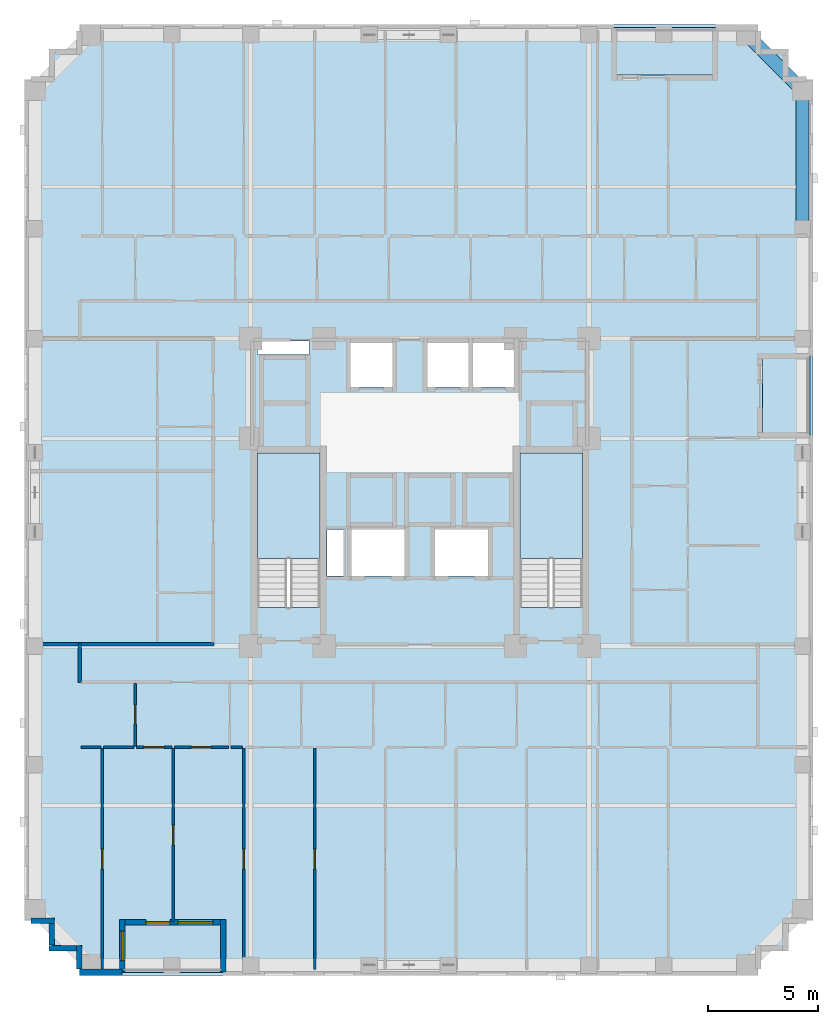
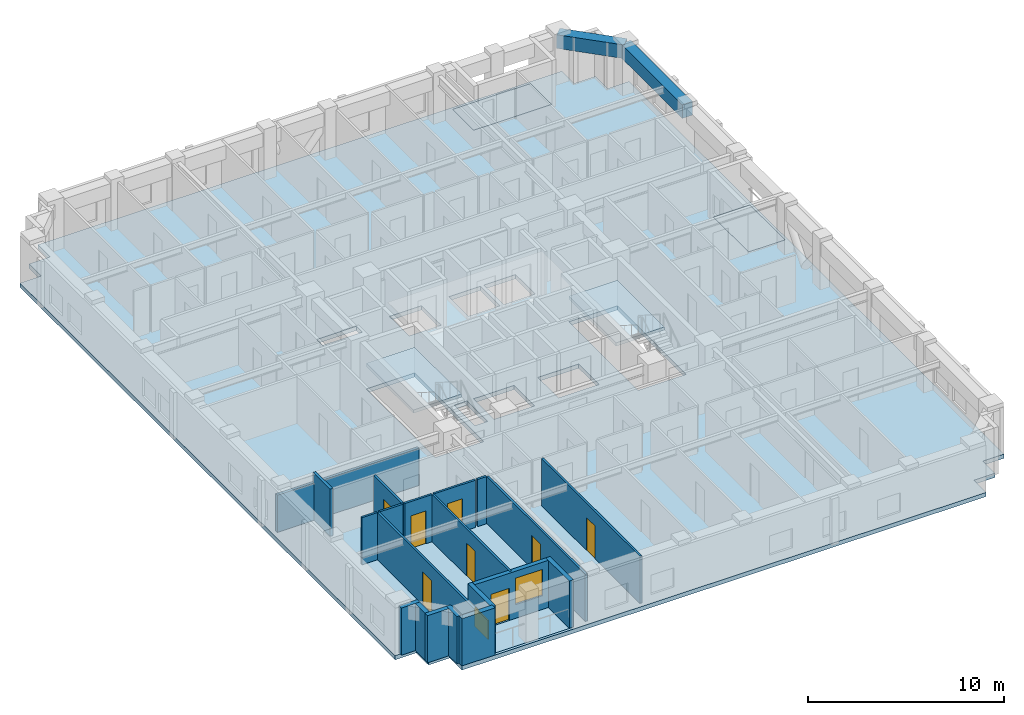
# One storey, part 2 of 13: 20 walls, 8 doors, 6 slabs, 2 beams, 2 windows, 10 openings, 2 elements without a shape of their own.
"""IFC4 building model written with IfcOpenShell, lengths in metres."""

from ifc_helpers import new_model, si_unit, derived_unit, direction, frame, frame_2d, origin, origin_2d, place, context, subcontext, project, spatial, polyline, rectangle, outline, extrude, material, layer, layer_set, material_profile, profile_set, type_object, element, fill, aggregate, save


model = new_model("IFC4")

# Units and contexts
model_context = context("Model", 3, precision=1e-05, world=origin(), true_north=direction((0.0, 1.0)))
body_context = subcontext(model_context, "Body", "Model", "MODEL_VIEW")
ifc_project = project(units=[si_unit("LENGTHUNIT", "METRE"), si_unit("AREAUNIT", "SQUARE_METRE"), si_unit("VOLUMEUNIT", "CUBIC_METRE"), si_unit("PLANEANGLEUNIT", "RADIAN"), si_unit("MASSUNIT", "GRAM", prefix="KILO"), derived_unit("THERMALTRANSMITTANCEUNIT", [(si_unit("MASSUNIT", "GRAM", prefix="KILO"), 1), (si_unit("TIMEUNIT", "SECOND"), -3), (si_unit("THERMODYNAMICTEMPERATUREUNIT", "KELVIN"), -1)])], contexts=[model_context])

# Site, building, storey
site_placement = place(None, origin())
site = spatial("IfcSite", under=ifc_project, at=site_placement, CompositionType="ELEMENT")
building_placement = place(site_placement, origin())
building = spatial("IfcBuilding", under=site, at=building_placement, Name="Korrvale Station Residences", CompositionType="ELEMENT")
storey_placement = place(building_placement, frame((0.0, 0.0, 97.5)))
storey = spatial("IfcBuildingStorey", under=building, at=storey_placement, Name="L27", CompositionType="ELEMENT", Elevation=97.5)

# Beams
ifc_material_1 = material(Name="Concrete C60/75", Category="concrete")
ifc_material_profile = material_profile(ifc_material_1, rectangle(XDim=0.60009765625, YDim=0.85009765625, at=origin_2d()), Name="RCB600x850")
ifc_profile_set = profile_set([ifc_material_profile], Name="Concrete C60/75")
beam_type = type_object("IfcBeamType", Name="BM-SPB-RCB600x850-C6075", PredefinedType="SPANDREL", material=ifc_profile_set)
beam_1_placement = place(storey_placement, frame((42.919921875, 34.0, 2.514892578125), z_axis=(0.0, 1.0, 0.0), x_axis=(-1.0, 0.0, 0.0)))
element("IfcBeam", 1, at=beam_1_placement, inside=storey, type_object=beam_type, Name="L27 East Tube Spandrel 28", PredefinedType="SPANDREL", context=body_context, shape_type="SweptSolid", body=[
    extrude(rectangle(XDim=0.60009765625, YDim=0.85009765625, at=origin_2d()), origin(), (0.0, 0.0, 1.0), 6.300048828125),
])
beam_2_placement = place(storey_placement, frame((40.39990234375, 42.820068359375, 2.514892578125), z_axis=(0.707106781187, -0.707106781187, 0.0), x_axis=(0.707106781187, 0.707106781187, 0.0)))
element("IfcBeam", 2, at=beam_2_placement, inside=storey, type_object=beam_type, Name="L27 Serrated Corner Spandrel 31", PredefinedType="SPANDREL", context=body_context, shape_type="SweptSolid", body=[
    extrude(rectangle(XDim=0.60009765625, YDim=0.85009765625, at=origin_2d()), origin(), (0.0, 0.0, 1.0), 3.56396484375),
])

# Slabs
ifc_material_2 = material(Name="Concrete C50/60", Category="concrete")
ifc_layer_1 = layer(ifc_material_2, 0.219970703125, Name="Concrete C50/60")
ifc_layer_set_1 = layer_set([ifc_layer_1], Name="Concrete C50/60")
slab_type_1 = type_object("IfcSlabType", Name="SLB-BAL-220", PredefinedType="FLOOR", material=ifc_layer_set_1)
slab_1_placement = place(storey_placement, frame((0.0, 0.0, -0.219970703125)))
element("IfcSlab", 3, at=slab_1_placement, inside=storey, type_object=slab_type_1, Name="L27 Recessed Loggia Balcony Slab BAL-L27-S1", PredefinedType="FLOOR", context=body_context, shape_type="SweptSolid", body=[
    extrude(outline(polyline([(11.949951171875, 0.14990234375), (16.550048828125, 0.14990234375), (16.550048828125, 2.300048828125), (11.949951171875, 2.300048828125), (11.949951171875, 0.14990234375)])), origin(), (0.0, 0.0, 1.0), 0.219970703125),
])
slab_2_placement = place(storey_placement, frame((0.0, 0.0, -0.219970703125)))
element("IfcSlab", 4, at=slab_2_placement, inside=storey, type_object=slab_type_1, Name="L27 Recessed Loggia Balcony Slab BAL-L27-N1", PredefinedType="FLOOR", context=body_context, shape_type="SweptSolid", body=[
    extrude(outline(polyline([(34.35009765625, 41.0), (38.949951171875, 41.0), (38.949951171875, 43.14990234375), (34.35009765625, 43.14990234375), (34.35009765625, 41.0)])), origin(), (0.0, 0.0, 1.0), 0.219970703125),
])
slab_3_placement = place(storey_placement, frame((0.0, 0.0, -0.219970703125)))
element("IfcSlab", 5, at=slab_3_placement, inside=storey, type_object=slab_type_1, Name="L27 Recessed Loggia Balcony Slab BAL-L27-E1", PredefinedType="FLOOR", context=body_context, shape_type="SweptSolid", body=[
    extrude(outline(polyline([(41.10009765625, 24.60009765625), (43.25, 24.60009765625), (43.25, 28.199951171875), (41.10009765625, 28.199951171875), (41.10009765625, 24.60009765625)])), origin(), (0.0, 0.0, 1.0), 0.219970703125),
])
ifc_layer_2 = layer(ifc_material_2, 0.260009765625, Name="Concrete C50/60")
ifc_layer_set_2 = layer_set([ifc_layer_2], Name="Concrete C50/60")
slab_type_2 = type_object("IfcSlabType", Name="SLB-FLR-260", PredefinedType="FLOOR", material=ifc_layer_set_2)
slab_4_placement = place(storey_placement, frame((0.0, 0.0, -0.260009765625)))
element("IfcSlab", 6, at=slab_4_placement, inside=storey, type_object=slab_type_2, Name="L27 Suspended Structural Floor Slab", PredefinedType="FLOOR", context=body_context, shape_type="SweptSolid", body=[
    extrude(outline(polyline([(10.0, 0.0), (40.89990234375, 0.0), (40.89990234375, 1.25), (42.14990234375, 1.25), (42.14990234375, 2.5), (43.39990234375, 2.5), (43.39990234375, 40.800048828125), (42.14990234375, 40.800048828125), (42.14990234375, 42.050048828125), (40.89990234375, 42.050048828125), (40.89990234375, 43.300048828125), (10.0, 43.300048828125), (10.0, 42.050048828125), (8.75, 42.050048828125), (8.75, 40.800048828125), (7.5, 40.800048828125), (7.5, 2.5), (8.75, 2.5), (8.75, 1.25), (10.0, 1.25), (10.0, 0.0)]), holes=[polyline([(20.949951171875, 16.751953125), (20.949951171875, 23.800048828125), (18.10009765625, 23.800048828125), (18.10009765625, 16.751953125), (20.949951171875, 16.751953125)]), polyline([(32.89990234375, 16.751953125), (32.89990234375, 23.800048828125), (30.050048828125, 23.800048828125), (30.050048828125, 16.751953125), (32.89990234375, 16.751953125)]), polyline([(22.35009765625, 26.800048828125), (24.25, 26.800048828125), (24.25, 28.800048828125), (22.35009765625, 28.800048828125), (22.35009765625, 26.800048828125)]), polyline([(25.85009765625, 26.800048828125), (27.7099609375, 26.800048828125), (27.7099609375, 28.800048828125), (25.85009765625, 28.800048828125), (25.85009765625, 26.800048828125)]), polyline([(27.929931640625, 26.800048828125), (29.7900390625, 26.800048828125), (29.7900390625, 28.800048828125), (27.929931640625, 28.800048828125), (27.929931640625, 26.800048828125)]), polyline([(22.39990234375, 18.199951171875), (24.800048828125, 18.199951171875), (24.800048828125, 20.300048828125), (22.39990234375, 20.300048828125), (22.39990234375, 18.199951171875)]), polyline([(26.199951171875, 18.199951171875), (28.60009765625, 18.199951171875), (28.60009765625, 20.300048828125), (26.199951171875, 20.300048828125), (26.199951171875, 18.199951171875)]), polyline([(18.10009765625, 28.280029296875), (20.449951171875, 28.280029296875), (20.449951171875, 28.8798828125), (18.10009765625, 28.8798828125), (18.10009765625, 28.280029296875)]), polyline([(21.280029296875, 18.199951171875), (22.02001953125, 18.199951171875), (22.02001953125, 20.300048828125), (21.280029296875, 20.300048828125), (21.280029296875, 18.199951171875)]), polyline([(11.949951171875, 0.14990234375), (16.550048828125, 0.14990234375), (16.550048828125, 2.300048828125), (11.949951171875, 2.300048828125), (11.949951171875, 0.14990234375)]), polyline([(34.35009765625, 41.0), (38.949951171875, 41.0), (38.949951171875, 43.14990234375), (34.35009765625, 43.14990234375), (34.35009765625, 41.0)]), polyline([(41.10009765625, 24.60009765625), (43.25, 24.60009765625), (43.25, 28.199951171875), (41.10009765625, 28.199951171875), (41.10009765625, 24.60009765625)])]), origin(), (0.0, 0.0, 1.0), 0.260009765625),
])

# Stair, slab
stair_type = type_object("IfcStairType", Name="STR-DL-1350-18R-1778", PredefinedType="HALF_TURN_STAIR", material=ifc_material_2)
stair_1_placement = place(storey_placement, origin())
stair_1 = element("IfcStair", 7, at=stair_1_placement, inside=storey, type_object=stair_type, Name="L27 Exit Stair 1", PredefinedType="HALF_TURN_STAIR")
ifc_layer_3 = layer(ifc_material_2, 0.199951171875, Name="Concrete C50/60")
ifc_layer_set_3 = layer_set([ifc_layer_3], Name="Concrete C50/60")
slab_type_3 = type_object("IfcSlabType", Name="SLB-LND-200", PredefinedType="LANDING", material=ifc_layer_set_3)
slab_5_placement = place(storey_placement, frame((0.0, 0.0, 1.39990234375)))
slab_5 = element("IfcSlab", 8, at=slab_5_placement, type_object=slab_type_3, Name="ST-1 landing 1", PredefinedType="LANDING", context=body_context, shape_type="SweptSolid", body=[
    extrude(outline(polyline([(20.949951171875, 18.989990234375), (20.949951171875, 23.800048828125), (18.10009765625, 23.800048828125), (18.10009765625, 18.989990234375), (20.949951171875, 18.989990234375)])), origin(), (0.0, 0.0, 1.0), 0.2001953125),
])
aggregate(stair_1, [slab_5])

stair_2_placement = place(storey_placement, origin())
stair_2 = element("IfcStair", 9, at=stair_2_placement, inside=storey, type_object=stair_type, Name="L27 Exit Stair 2", PredefinedType="HALF_TURN_STAIR")
slab_6_placement = place(storey_placement, frame((0.0, 0.0, 1.39990234375)))
slab_6 = element("IfcSlab", 10, at=slab_6_placement, type_object=slab_type_3, Name="ST-2 landing 1", PredefinedType="LANDING", context=body_context, shape_type="SweptSolid", body=[
    extrude(outline(polyline([(32.89990234375, 18.989990234375), (32.89990234375, 23.800048828125), (30.050048828125, 23.800048828125), (30.050048828125, 18.989990234375), (32.89990234375, 18.989990234375)])), origin(), (0.0, 0.0, 1.0), 0.2001953125),
])
aggregate(stair_2, [slab_6])

# Wall
ifc_material_3 = material(Name="Precast concrete C45/55", Category="concrete")
ifc_layer_4 = layer(ifc_material_3, 0.260009765625, Name="Precast concrete C45/55")
ifc_layer_set_4 = layer_set([ifc_layer_4], Name="Precast concrete C45/55")
wall_type_1 = type_object("IfcWallType", Name="WAL-EXT-LOG260", PredefinedType="SOLIDWALL", material=ifc_layer_set_4)
wall_1_placement = place(storey_placement, frame((16.550048828125, 0.159912109375, 0.0), z_axis=(0.0, 0.0, 1.0), x_axis=(0.0, 1.0, 0.0)))
element("IfcWall", 11, at=wall_1_placement, inside=storey, type_object=wall_type_1, Name="L27 Recessed Loggia Wall BAL-L27-S1-L", PredefinedType="SOLIDWALL", context=body_context, shape_type="SweptSolid", body=[
    extrude(rectangle(XDim=2.400146484375, YDim=0.260009765625, at=frame_2d((1.2001953125, 0.0))), origin(), (0.0, 0.0, 1.0), 2.93994140625),
])

# Wall, openings, door, window
wall_2_placement = place(storey_placement, frame((16.416015625, 2.429931640625, 0.0), z_axis=(0.0, 0.0, 1.0), x_axis=(-1.0, 0.0, 0.0)))
wall_2 = element("IfcWall", 12, at=wall_2_placement, inside=storey, type_object=wall_type_1, Name="L27 Recessed Loggia Wall BAL-L27-S1-B", PredefinedType="SOLIDWALL", context=body_context, shape_type="SweptSolid", body=[
    extrude(rectangle(XDim=4.33203125, YDim=0.260009765625, at=frame_2d((2.166015625, 0.0))), origin(), (0.0, 0.0, 1.0), 2.93994140625),
])
opening_1_placement = place(wall_2_placement, frame((2.285888671875, 0.0, 0.0)))
opening_1 = element("IfcOpeningElement", 13, at=opening_1_placement, cuts=wall_2, Name="Opening BD-01", PredefinedType="OPENING", context=body_context, shape_type="SweptSolid", body=[
    extrude(rectangle(XDim=1.10009765625, YDim=2.0, at=frame_2d((0.550048828125, 1.0))), frame((0.0, 0.14013671875, 0.0), z_axis=(0.0, -1.0, 0.0), x_axis=(1.0, 0.0, 0.0)), (0.0, 0.0, 1.0), 0.280029296875),
])
opening_2_placement = place(wall_2_placement, frame((0.325927734375, 0.0, 0.85009765625)))
opening_2 = element("IfcOpeningElement", 14, at=opening_2_placement, cuts=wall_2, Name="Opening W-05", PredefinedType="OPENING", context=body_context, shape_type="SweptSolid", body=[
    extrude(rectangle(XDim=1.60009765625, YDim=1.64990234375, at=frame_2d((0.800048828125, 0.824951171875))), frame((0.0, 0.14013671875, 0.0), z_axis=(0.0, -1.0, 0.0), x_axis=(1.0, 0.0, 0.0)), (0.0, 0.0, 1.0), 0.280029296875),
])
ifc_material_4 = material(Name="Exterior thermally broken aluminium glazed balcony door", Category="aluminium")
door_type_1 = type_object("IfcDoorType", Name="DR-EXT-BAL", OperationType="NOTDEFINED", PredefinedType="DOOR", material=ifc_material_4)
door_1_placement = place(opening_1_placement, origin())
door_1 = element("IfcDoor", 15, at=door_1_placement, inside=storey, type_object=door_type_1, Name="L27 Loggia Balcony Door BAL-L27-S1", OperationType="SINGLE_SWING_RIGHT", OverallHeight=2.0, OverallWidth=1.10009765625, PredefinedType="DOOR", context=body_context, shape_type="SweptSolid", body=[
    extrude(rectangle(XDim=1.10009765625, YDim=2.0, at=frame_2d((0.550048828125, 1.0))), frame((0.0, 0.02490234375, 0.0), z_axis=(0.0, -1.0, 0.0), x_axis=(1.0, 0.0, 0.0)), (0.0, 0.0, 1.0), 0.050048828125),
])
fill(opening_1, door_1)
ifc_material_5 = material(Name="Thermally broken aluminium frame with triple low-e glazing", Category="aluminium")
window_type_1 = type_object("IfcWindowType", Name="WIN-W05", PartitioningType="DOUBLE_PANEL_VERTICAL", PredefinedType="WINDOW", material=ifc_material_5)
window_1_placement = place(opening_2_placement, origin())
window_1 = element("IfcWindow", 16, at=window_1_placement, inside=storey, type_object=window_type_1, Name="L27 Punched Window 04", OverallHeight=1.64990234375, OverallWidth=1.60009765625, PartitioningType="DOUBLE_PANEL_VERTICAL", PredefinedType="WINDOW", context=body_context, shape_type="SweptSolid", body=[
    extrude(rectangle(XDim=1.60009765625, YDim=1.64990234375, at=frame_2d((0.800048828125, 0.824951171875))), frame((0.0, 0.030029296875, 0.0), z_axis=(0.0, -1.0, 0.0), x_axis=(1.0, 0.0, 0.0)), (0.0, 0.0, 1.0), 0.06005859375),
])
fill(opening_2, window_1)

# Wall, opening, window
wall_3_placement = place(storey_placement, frame((11.949951171875, 2.56005859375, 0.0), z_axis=(0.0, 0.0, 1.0), x_axis=(0.0, -1.0, 0.0)))
wall_3 = element("IfcWall", 17, at=wall_3_placement, inside=storey, type_object=wall_type_1, Name="L27 Recessed Loggia Wall BAL-L27-S1-R", PredefinedType="SOLIDWALL", context=body_context, shape_type="SweptSolid", body=[
    extrude(rectangle(XDim=2.400146484375, YDim=0.260009765625, at=frame_2d((1.2001953125, 0.0))), origin(), (0.0, 0.0, 1.0), 2.93994140625),
])
opening_3_placement = place(wall_3_placement, frame((0.52490234375, 0.0, 0.550048828125)))
opening_3 = element("IfcOpeningElement", 18, at=opening_3_placement, cuts=wall_3, Name="Opening W-10", PredefinedType="OPENING", context=body_context, shape_type="SweptSolid", body=[
    extrude(rectangle(XDim=1.35009765625, YDim=1.199951171875, at=frame_2d((0.675048828125, 0.60009765625))), frame((0.0, 0.14013671875, 0.0), z_axis=(0.0, -1.0, 0.0), x_axis=(1.0, 0.0, 0.0)), (0.0, 0.0, 1.0), 0.280029296875),
])
window_type_2 = type_object("IfcWindowType", Name="WIN-W10", PartitioningType="SINGLE_PANEL", PredefinedType="WINDOW", material=ifc_material_5)
window_2_placement = place(opening_3_placement, origin())
window_2 = element("IfcWindow", 19, at=window_2_placement, inside=storey, type_object=window_type_2, Name="L27 Punched Window 03", OverallHeight=1.199951171875, OverallWidth=1.35009765625, PartitioningType="SINGLE_PANEL", PredefinedType="WINDOW", context=body_context, shape_type="SweptSolid", body=[
    extrude(rectangle(XDim=1.35009765625, YDim=1.199951171875, at=frame_2d((0.675048828125, 0.60009765625))), frame((0.0, 0.030029296875, 0.0), z_axis=(0.0, -1.0, 0.0), x_axis=(1.0, 0.0, 0.0)), (0.0, 0.0, 1.0), 0.06005859375),
])
fill(opening_3, window_2)

# Walls
wall_4_placement = place(storey_placement, frame((10.0, 0.302001953125, 0.0), z_axis=(0.0, 0.0, 1.0), x_axis=(0.0, 1.0, 0.0)))
element("IfcWall", 20, at=wall_4_placement, inside=storey, type_object=wall_type_1, Name="L27 Serrated Corner Precast Step SW-1", PredefinedType="SOLIDWALL", context=body_context, shape_type="SweptSolid", body=[
    extrude(rectangle(XDim=1.077880859375, YDim=0.260009765625, at=frame_2d((0.5390625, 0.0))), origin(), (0.0, 0.0, 1.0), 2.93994140625),
])
wall_5_placement = place(storey_placement, frame((9.867919921875, 1.25, 0.0), z_axis=(0.0, 0.0, 1.0), x_axis=(-1.0, 0.0, 0.0)))
element("IfcWall", 21, at=wall_5_placement, inside=storey, type_object=wall_type_1, Name="L27 Serrated Corner Precast Step SW-2", PredefinedType="SOLIDWALL", context=body_context, shape_type="SweptSolid", body=[
    extrude(rectangle(XDim=1.247802734375, YDim=0.260009765625, at=frame_2d((0.6240234375, 0.0))), origin(), (0.0, 0.0, 1.0), 2.93994140625),
])
wall_6_placement = place(storey_placement, frame((8.75, 1.382080078125, 0.0), z_axis=(0.0, 0.0, 1.0), x_axis=(0.0, 1.0, 0.0)))
element("IfcWall", 22, at=wall_6_placement, inside=storey, type_object=wall_type_1, Name="L27 Serrated Corner Precast Step SW-3", PredefinedType="SOLIDWALL", context=body_context, shape_type="SweptSolid", body=[
    extrude(rectangle(XDim=0.98583984375, YDim=0.260009765625, at=frame_2d((0.492919921875, 0.0))), origin(), (0.0, 0.0, 1.0), 2.93994140625),
])
wall_7_placement = place(storey_placement, frame((8.8798828125, 2.5, 0.0), z_axis=(0.0, 0.0, 1.0), x_axis=(-1.0, 0.0, 0.0)))
element("IfcWall", 23, at=wall_7_placement, inside=storey, type_object=wall_type_1, Name="L27 Serrated Corner Precast Step SW-4", PredefinedType="SOLIDWALL", context=body_context, shape_type="SweptSolid", body=[
    extrude(rectangle(XDim=1.077880859375, YDim=0.260009765625, at=frame_2d((0.5390625, 0.0))), origin(), (0.0, 0.0, 1.0), 2.93994140625),
])
ifc_layer_5 = layer(ifc_material_3, 0.300048828125, Name="Precast concrete C45/55")
ifc_layer_set_5 = layer_set([ifc_layer_5], Name="Precast concrete C45/55")
wall_type_2 = type_object("IfcWallType", Name="WAL-EXT-PC300", PredefinedType="SOLIDWALL", material=ifc_layer_set_5)
wall_8_placement = place(storey_placement, frame((11.949951171875, 0.14990234375, 0.0), z_axis=(0.0, 0.0, 1.0), x_axis=(-1.0, 0.0, 0.0)))
element("IfcWall", 24, at=wall_8_placement, inside=storey, type_object=wall_type_2, Name="L27 South Exterior Precast Wall 2", PredefinedType="SOLIDWALL", context=body_context, shape_type="SweptSolid", body=[
    extrude(rectangle(XDim=1.949951171875, YDim=0.300048828125, at=frame_2d((0.97509765625, 0.0))), origin(), (0.0, 0.0, 1.0), 2.93994140625),
])

# Wall, opening, door
ifc_material_6 = material(Name="Acoustic steel-stud gypsum board partition", Category="steel")
ifc_layer_6 = layer(ifc_material_6, 0.1201171875, Name="Acoustic steel-stud gypsum board partition")
ifc_layer_set_6 = layer_set([ifc_layer_6], Name="Acoustic steel-stud gypsum board partition")
wall_type_3 = type_object("IfcWallType", Name="WAL-PART-125", PredefinedType="PARTITIONING", material=ifc_layer_set_6)
wall_9_placement = place(storey_placement, frame((12.5400390625, 10.4599609375, 0.0), z_axis=(0.0, 0.0, 1.0), x_axis=(0.0, 1.0, 0.0)))
wall_9 = element("IfcWall", 25, at=wall_9_placement, inside=storey, type_object=wall_type_3, Name="L27 Suite Partition U01-V01", PredefinedType="PARTITIONING", context=body_context, shape_type="SweptSolid", body=[
    extrude(rectangle(XDim=2.85009765625, YDim=0.1201171875, at=frame_2d((1.425048828125, 0.0))), origin(), (0.0, 0.0, 1.0), 2.93994140625),
])
opening_4_placement = place(wall_9_placement, frame((0.9951171875, 0.0, 0.0)))
opening_4 = element("IfcOpeningElement", 26, at=opening_4_placement, cuts=wall_9, Name="Opening DB-860", PredefinedType="OPENING", context=body_context, shape_type="SweptSolid", body=[
    extrude(rectangle(XDim=0.860107421875, YDim=2.050048828125, at=frame_2d((0.43017578125, 1.02490234375))), frame((0.0, 0.070068359375, 0.0), z_axis=(0.0, -1.0, 0.0), x_axis=(1.0, 0.0, 0.0)), (0.0, 0.0, 1.0), 0.14013671875),
])
ifc_material_7 = material(Name="Moisture-resistant solid-core bathroom door", Category="timber")
door_type_2 = type_object("IfcDoorType", Name="DR-BATH-860", OperationType="NOTDEFINED", PredefinedType="DOOR", material=ifc_material_7)
door_2_placement = place(opening_4_placement, origin())
door_2 = element("IfcDoor", 27, at=door_2_placement, inside=storey, type_object=door_type_2, Name="L27 Studio Apartment L27-U01 Bathroom Door", OperationType="SINGLE_SWING_RIGHT", OverallHeight=2.050048828125, OverallWidth=0.860107421875, PredefinedType="DOOR", context=body_context, shape_type="SweptSolid", body=[
    extrude(rectangle(XDim=0.860107421875, YDim=2.050048828125, at=frame_2d((0.43017578125, 1.02490234375))), frame((0.0, 0.02490234375, 0.0), z_axis=(0.0, -1.0, 0.0), x_axis=(1.0, 0.0, 0.0)), (0.0, 0.0, 1.0), 0.050048828125),
])
fill(opening_4, door_2)

# Walls
wall_10_placement = place(storey_placement, frame((10.080078125, 10.39990234375, 0.0), z_axis=(0.0, 0.0, 1.0), x_axis=(1.0, 0.0, 0.0)))
element("IfcWall", 28, at=wall_10_placement, inside=storey, type_object=wall_type_3, Name="L27 Suite Partition U01-H09", PredefinedType="PARTITIONING", context=body_context, shape_type="SweptSolid", body=[
    extrude(rectangle(XDim=0.909912109375, YDim=0.1201171875, at=frame_2d((0.455078125, 0.0))), origin(), (0.0, 0.0, 1.0), 2.93994140625),
])
wall_11_placement = place(storey_placement, frame((11.110107421875, 10.39990234375, 0.0), z_axis=(0.0, 0.0, 1.0), x_axis=(1.0, 0.0, 0.0)))
element("IfcWall", 29, at=wall_11_placement, inside=storey, type_object=wall_type_3, Name="L27 Suite Partition U01-H010", PredefinedType="PARTITIONING", context=body_context, shape_type="SweptSolid", body=[
    extrude(rectangle(XDim=1.369873046875, YDim=0.1201171875, at=frame_2d((0.68505859375, 0.0))), origin(), (0.0, 0.0, 1.0), 2.93994140625),
])

# Wall, opening, door
wall_12_placement = place(storey_placement, frame((12.60009765625, 10.39990234375, 0.0), z_axis=(0.0, 0.0, 1.0), x_axis=(1.0, 0.0, 0.0)))
wall_12 = element("IfcWall", 30, at=wall_12_placement, inside=storey, type_object=wall_type_3, Name="L27 Suite Partition U01-H110", PredefinedType="PARTITIONING", context=body_context, shape_type="SweptSolid", body=[
    extrude(rectangle(XDim=1.60986328125, YDim=0.1201171875, at=frame_2d((0.804931640625, 0.0))), origin(), (0.0, 0.0, 1.0), 2.93994140625),
])
opening_5_placement = place(wall_12_placement, frame((0.35498046875, 0.0, 0.0)))
opening_5 = element("IfcOpeningElement", 31, at=opening_5_placement, cuts=wall_12, Name="Opening DI-900", PredefinedType="OPENING", context=body_context, shape_type="SweptSolid", body=[
    extrude(rectangle(XDim=0.89990234375, YDim=2.050048828125, at=frame_2d((0.449951171875, 1.02490234375))), frame((0.0, 0.070068359375, 0.0), z_axis=(0.0, -1.0, 0.0), x_axis=(1.0, 0.0, 0.0)), (0.0, 0.0, 1.0), 0.14013671875),
])
ifc_material_8 = material(Name="Painted solid-core timber interior room door", Category="wood")
door_type_3 = type_object("IfcDoorType", Name="DR-INT-900", OperationType="NOTDEFINED", PredefinedType="DOOR", material=ifc_material_8)
door_3_placement = place(opening_5_placement, origin())
door_3 = element("IfcDoor", 32, at=door_3_placement, inside=storey, type_object=door_type_3, Name="L27 Studio Apartment L27-U01 Kitchen Door", OperationType="SINGLE_SWING_RIGHT", OverallHeight=2.050048828125, OverallWidth=0.89990234375, PredefinedType="DOOR", context=body_context, shape_type="SweptSolid", body=[
    extrude(rectangle(XDim=0.89990234375, YDim=2.050048828125, at=frame_2d((0.449951171875, 1.02490234375))), frame((0.0, 0.02490234375, 0.0), z_axis=(0.0, -1.0, 0.0), x_axis=(1.0, 0.0, 0.0)), (0.0, 0.0, 1.0), 0.050048828125),
])
fill(opening_5, door_3)

wall_13_placement = place(storey_placement, frame((14.330078125, 10.39990234375, 0.0), z_axis=(0.0, 0.0, 1.0), x_axis=(1.0, 0.0, 0.0)))
wall_13 = element("IfcWall", 33, at=wall_13_placement, inside=storey, type_object=wall_type_3, Name="L27 Suite Partition U01-H111", PredefinedType="PARTITIONING", context=body_context, shape_type="SweptSolid", body=[
    extrude(rectangle(XDim=2.449951171875, YDim=0.1201171875, at=frame_2d((1.22509765625, 0.0))), origin(), (0.0, 0.0, 1.0), 2.93994140625),
])
opening_6_placement = place(wall_13_placement, frame((0.77490234375, 0.0, 0.0)))
opening_6 = element("IfcOpeningElement", 34, at=opening_6_placement, cuts=wall_13, Name="Opening DI-900", PredefinedType="OPENING", context=body_context, shape_type="SweptSolid", body=[
    extrude(rectangle(XDim=0.89990234375, YDim=2.050048828125, at=frame_2d((0.449951171875, 1.02490234375))), frame((0.0, 0.070068359375, 0.0), z_axis=(0.0, -1.0, 0.0), x_axis=(1.0, 0.0, 0.0)), (0.0, 0.0, 1.0), 0.14013671875),
])
door_4_placement = place(opening_6_placement, origin())
door_4 = element("IfcDoor", 35, at=door_4_placement, inside=storey, type_object=door_type_3, Name="L27 Studio Apartment L27-U01 Kitchen Door", OperationType="SINGLE_SWING_LEFT", OverallHeight=2.050048828125, OverallWidth=0.89990234375, PredefinedType="DOOR", context=body_context, shape_type="SweptSolid", body=[
    extrude(rectangle(XDim=0.89990234375, YDim=2.050048828125, at=frame_2d((0.449951171875, 1.02490234375))), frame((0.0, 0.02490234375, 0.0), z_axis=(0.0, -1.0, 0.0), x_axis=(1.0, 0.0, 0.0)), (0.0, 0.0, 1.0), 0.050048828125),
])
fill(opening_6, door_4)

# Wall
wall_14_placement = place(storey_placement, frame((16.89990234375, 10.39990234375, 0.0), z_axis=(0.0, 0.0, 1.0), x_axis=(1.0, 0.0, 0.0)))
element("IfcWall", 36, at=wall_14_placement, inside=storey, type_object=wall_type_3, Name="L27 Suite Partition U01-H211", PredefinedType="PARTITIONING", context=body_context, shape_type="SweptSolid", body=[
    extrude(rectangle(XDim=0.530029296875, YDim=0.1201171875, at=frame_2d((0.26513671875, 0.0))), origin(), (0.0, 0.0, 1.0), 2.93994140625),
])

# Wall, opening, door
wall_15_placement = place(storey_placement, frame((11.050048828125, 0.280029296875, 0.0), z_axis=(0.0, 0.0, 1.0), x_axis=(0.0, 1.0, 0.0)))
wall_15 = element("IfcWall", 37, at=wall_15_placement, inside=storey, type_object=wall_type_3, Name="L27 Suite Partition U01-V910", PredefinedType="PARTITIONING", context=body_context, shape_type="SweptSolid", body=[
    extrude(rectangle(XDim=10.06005859375, YDim=0.1201171875, at=frame_2d((5.030029296875, 0.0))), origin(), (0.0, 0.0, 1.0), 2.93994140625),
])
opening_7_placement = place(wall_15_placement, frame((4.56494140625, 0.0, 0.0)))
opening_7 = element("IfcOpeningElement", 38, at=opening_7_placement, cuts=wall_15, Name="Opening DI-900", PredefinedType="OPENING", context=body_context, shape_type="SweptSolid", body=[
    extrude(rectangle(XDim=0.89990234375, YDim=2.050048828125, at=frame_2d((0.449951171875, 1.02490234375))), frame((0.0, 0.070068359375, 0.0), z_axis=(0.0, -1.0, 0.0), x_axis=(1.0, 0.0, 0.0)), (0.0, 0.0, 1.0), 0.14013671875),
])
door_5_placement = place(opening_7_placement, origin())
door_5 = element("IfcDoor", 39, at=door_5_placement, inside=storey, type_object=door_type_3, Name="L27 Studio Apartment L27-U01 Walk-In Wardrobe Door", OperationType="SINGLE_SWING_LEFT", OverallHeight=2.050048828125, OverallWidth=0.89990234375, PredefinedType="DOOR", context=body_context, shape_type="SweptSolid", body=[
    extrude(rectangle(XDim=0.89990234375, YDim=2.050048828125, at=frame_2d((0.449951171875, 1.02490234375))), frame((0.0, 0.02490234375, 0.0), z_axis=(0.0, -1.0, 0.0), x_axis=(1.0, 0.0, 0.0)), (0.0, 0.0, 1.0), 0.050048828125),
])
fill(opening_7, door_5)

wall_16_placement = place(storey_placement, frame((14.27001953125, 2.429931640625, 0.0), z_axis=(0.0, 0.0, 1.0), x_axis=(0.0, 1.0, 0.0)))
wall_16 = element("IfcWall", 40, at=wall_16_placement, inside=storey, type_object=wall_type_3, Name="L27 Suite Partition U01-V1011", PredefinedType="PARTITIONING", context=body_context, shape_type="SweptSolid", body=[
    extrude(rectangle(XDim=7.91015625, YDim=0.1201171875, at=frame_2d((3.955078125, 0.0))), origin(), (0.0, 0.0, 1.0), 2.93994140625),
])
opening_8_placement = place(wall_16_placement, frame((3.5048828125, 0.0, 0.0)))
opening_8 = element("IfcOpeningElement", 41, at=opening_8_placement, cuts=wall_16, Name="Opening DI-900", PredefinedType="OPENING", context=body_context, shape_type="SweptSolid", body=[
    extrude(rectangle(XDim=0.89990234375, YDim=2.050048828125, at=frame_2d((0.449951171875, 1.02490234375))), frame((0.0, 0.070068359375, 0.0), z_axis=(0.0, -1.0, 0.0), x_axis=(1.0, 0.0, 0.0)), (0.0, 0.0, 1.0), 0.14013671875),
])
door_6_placement = place(opening_8_placement, origin())
door_6 = element("IfcDoor", 42, at=door_6_placement, inside=storey, type_object=door_type_3, Name="L27 Studio Apartment L27-U01 Formal Dining Room Door", OperationType="SINGLE_SWING_RIGHT", OverallHeight=2.050048828125, OverallWidth=0.89990234375, PredefinedType="DOOR", context=body_context, shape_type="SweptSolid", body=[
    extrude(rectangle(XDim=0.89990234375, YDim=2.050048828125, at=frame_2d((0.449951171875, 1.02490234375))), frame((0.0, 0.02490234375, 0.0), z_axis=(0.0, -1.0, 0.0), x_axis=(1.0, 0.0, 0.0)), (0.0, 0.0, 1.0), 0.050048828125),
])
fill(opening_8, door_6)

wall_17_placement = place(storey_placement, frame((17.489990234375, 0.280029296875, 0.0), z_axis=(0.0, 0.0, 1.0), x_axis=(0.0, 1.0, 0.0)))
wall_17 = element("IfcWall", 43, at=wall_17_placement, inside=storey, type_object=wall_type_3, Name="L27 Suite Partition U01-V1112", PredefinedType="PARTITIONING", context=body_context, shape_type="SweptSolid", body=[
    extrude(rectangle(XDim=10.06005859375, YDim=0.1201171875, at=frame_2d((5.030029296875, 0.0))), origin(), (0.0, 0.0, 1.0), 2.93994140625),
])
opening_9_placement = place(wall_17_placement, frame((4.56494140625, 0.0, 0.0)))
opening_9 = element("IfcOpeningElement", 44, at=opening_9_placement, cuts=wall_17, Name="Opening DI-900", PredefinedType="OPENING", context=body_context, shape_type="SweptSolid", body=[
    extrude(rectangle(XDim=0.89990234375, YDim=2.050048828125, at=frame_2d((0.449951171875, 1.02490234375))), frame((0.0, 0.070068359375, 0.0), z_axis=(0.0, -1.0, 0.0), x_axis=(1.0, 0.0, 0.0)), (0.0, 0.0, 1.0), 0.14013671875),
])
door_7_placement = place(opening_9_placement, origin())
door_7 = element("IfcDoor", 45, at=door_7_placement, inside=storey, type_object=door_type_3, Name="L27 Studio Apartment L27-U01 Formal Dining Room Door", OperationType="SINGLE_SWING_LEFT", OverallHeight=2.050048828125, OverallWidth=0.89990234375, PredefinedType="DOOR", context=body_context, shape_type="SweptSolid", body=[
    extrude(rectangle(XDim=0.89990234375, YDim=2.050048828125, at=frame_2d((0.449951171875, 1.02490234375))), frame((0.0, 0.02490234375, 0.0), z_axis=(0.0, -1.0, 0.0), x_axis=(1.0, 0.0, 0.0)), (0.0, 0.0, 1.0), 0.050048828125),
])
fill(opening_9, door_7)

wall_18_placement = place(storey_placement, frame((20.7099609375, 0.280029296875, 0.0), z_axis=(0.0, 0.0, 1.0), x_axis=(0.0, 1.0, 0.0)))
wall_18 = element("IfcWall", 46, at=wall_18_placement, inside=storey, type_object=wall_type_3, Name="L27 Suite Partition U01-V1213", PredefinedType="PARTITIONING", context=body_context, shape_type="SweptSolid", body=[
    extrude(rectangle(XDim=10.06005859375, YDim=0.1201171875, at=frame_2d((5.030029296875, 0.0))), origin(), (0.0, 0.0, 1.0), 2.93994140625),
])
opening_10_placement = place(wall_18_placement, frame((4.56494140625, 0.0, 0.0)))
opening_10 = element("IfcOpeningElement", 47, at=opening_10_placement, cuts=wall_18, Name="Opening DI-900", PredefinedType="OPENING", context=body_context, shape_type="SweptSolid", body=[
    extrude(rectangle(XDim=0.89990234375, YDim=2.050048828125, at=frame_2d((0.449951171875, 1.02490234375))), frame((0.0, 0.070068359375, 0.0), z_axis=(0.0, -1.0, 0.0), x_axis=(1.0, 0.0, 0.0)), (0.0, 0.0, 1.0), 0.14013671875),
])
door_8_placement = place(opening_10_placement, origin())
door_8 = element("IfcDoor", 48, at=door_8_placement, inside=storey, type_object=door_type_3, Name="L27 Studio Apartment L27-U01 Formal Dining Room Door", OperationType="SINGLE_SWING_RIGHT", OverallHeight=2.050048828125, OverallWidth=0.89990234375, PredefinedType="DOOR", context=body_context, shape_type="SweptSolid", body=[
    extrude(rectangle(XDim=0.89990234375, YDim=2.050048828125, at=frame_2d((0.449951171875, 1.02490234375))), frame((0.0, 0.02490234375, 0.0), z_axis=(0.0, -1.0, 0.0), x_axis=(1.0, 0.0, 0.0)), (0.0, 0.0, 1.0), 0.050048828125),
])
fill(opening_10, door_8)

# Walls
ifc_material_9 = material(Name="Fire-rated twin-stud gypsum and mineral wool shaftwall assembly", Category="gypsum")
ifc_layer_7 = layer(ifc_material_9, 0.159912109375, Name="Fire-rated twin-stud gypsum and mineral wool shaftwall assembly")
ifc_layer_set_7 = layer_set([ifc_layer_7], Name="Fire-rated twin-stud gypsum and mineral wool shaftwall assembly")
wall_type_4 = type_object("IfcWallType", Name="WAL-PART-200", PredefinedType="PARTITIONING", material=ifc_layer_set_7)
wall_19_placement = place(storey_placement, frame((10.02001953125, 13.35009765625, 0.0), z_axis=(0.0, 0.0, 1.0), x_axis=(0.0, 1.0, 0.0)))
element("IfcWall", 49, at=wall_19_placement, inside=storey, type_object=wall_type_4, Name="L27 Corridor South West Cap", PredefinedType="PARTITIONING", context=body_context, shape_type="SweptSolid", body=[
    extrude(rectangle(XDim=1.739990234375, YDim=0.159912109375, at=frame_2d((0.8701171875, 0.0))), origin(), (0.0, 0.0, 1.0), 2.93994140625),
])
wall_20_placement = place(storey_placement, frame((7.780029296875, 15.090087890625, 0.0), z_axis=(0.0, 0.0, 1.0), x_axis=(1.0, 0.0, 0.0)))
element("IfcWall", 50, at=wall_20_placement, inside=storey, type_object=wall_type_4, Name="L27 West Wing South Corridor Wall", PredefinedType="PARTITIONING", context=body_context, shape_type="SweptSolid", body=[
    extrude(rectangle(XDim=8.35986328125, YDim=0.159912109375, at=frame_2d((4.179931640625, 0.0))), origin(), (0.0, 0.0, 1.0), 2.31298828125),
])

save(model, "model.ifc")
